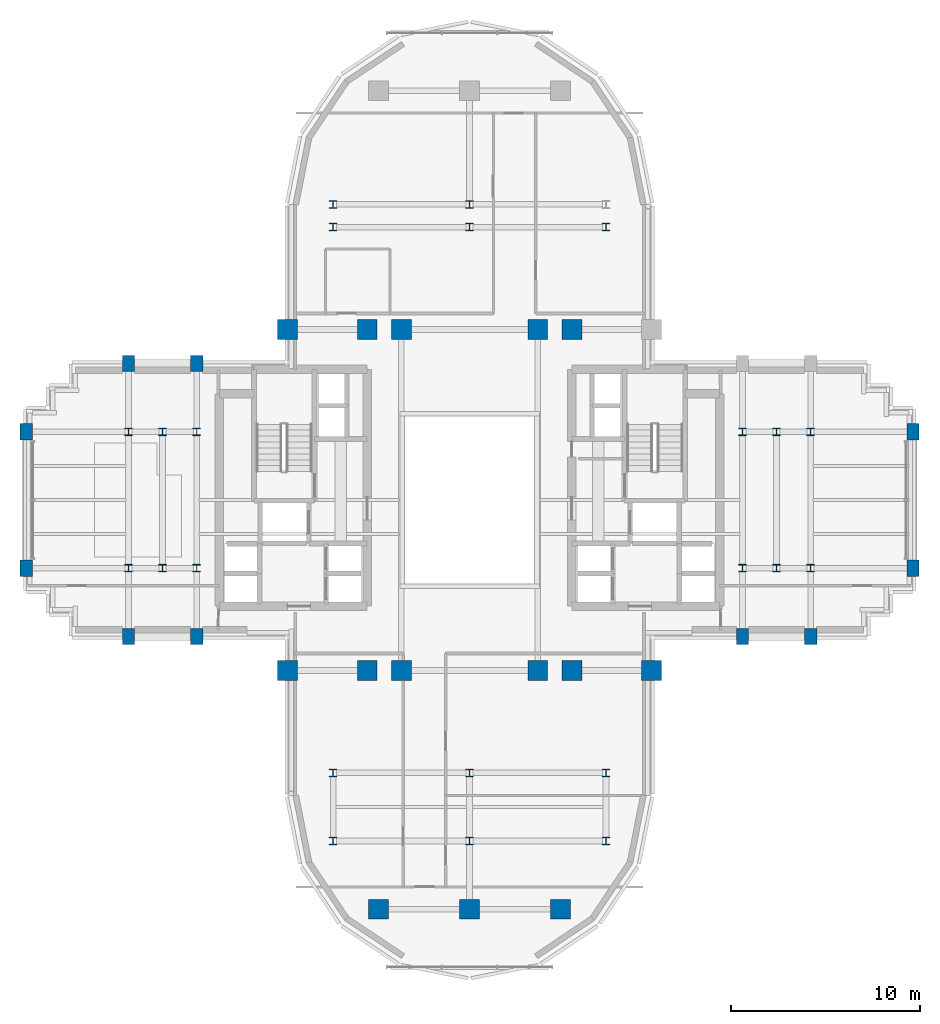
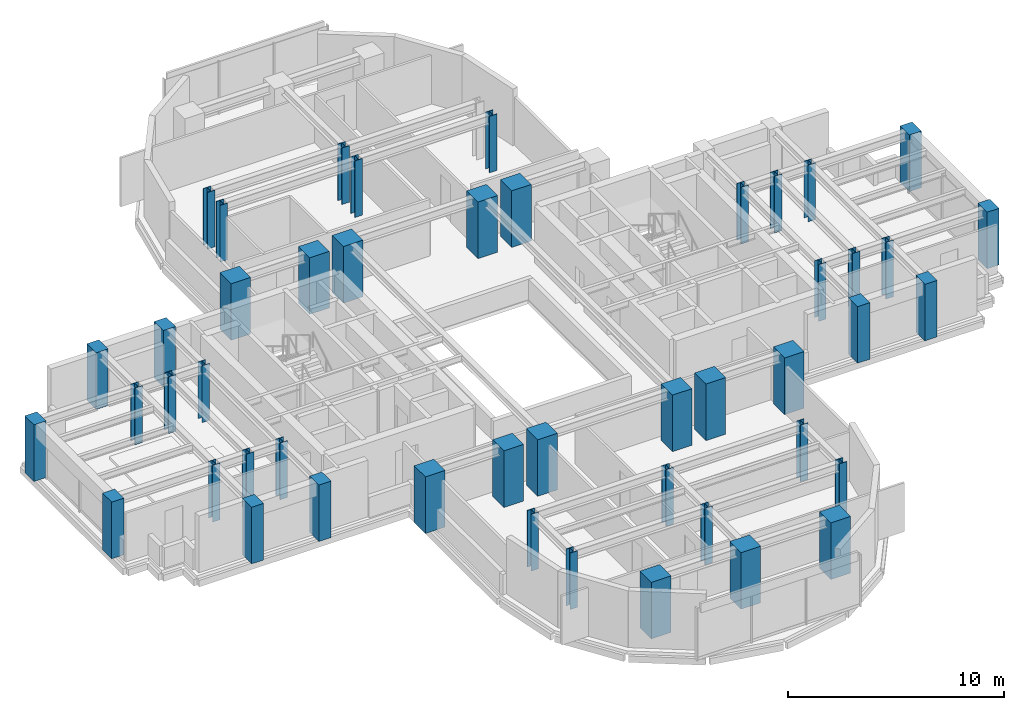
# One storey, part 1 of 13: 47 columns.
"""IFC4 building model written with IfcOpenShell, lengths in metres."""

from ifc_helpers import new_model, si_unit, direction, frame, origin, origin_2d, place, context, subcontext, project, spatial, rectangle, i_section, extrude, source, transform, mapped, material, material_profile, profile_set, type_object, element, save


model = new_model("IFC4")

# Units and contexts
model_context = context("Model", 3, precision=1e-05, world=origin(), true_north=direction((0.0, 1.0)))
body_context = subcontext(model_context, "Body", "Model", "MODEL_VIEW")
ifc_project = project(units=[si_unit("LENGTHUNIT", "METRE"), si_unit("AREAUNIT", "SQUARE_METRE"), si_unit("VOLUMEUNIT", "CUBIC_METRE"), si_unit("PLANEANGLEUNIT", "RADIAN"), si_unit("MASSUNIT", "GRAM", prefix="KILO")], contexts=[model_context])

# Site, building, storey
site_placement = place(None, origin())
site = spatial("IfcSite", under=ifc_project, at=site_placement, CompositionType="ELEMENT")
building_placement = place(site_placement, origin())
building = spatial("IfcBuilding", under=site, at=building_placement, Name="Keilestroom Media Tower", CompositionType="ELEMENT")
storey_placement = place(building_placement, frame((0.0, 0.0, 97.199951171875)))
storey = spatial("IfcBuildingStorey", under=building, at=storey_placement, Name="L25", CompositionType="ELEMENT", Elevation=97.199951171875)

# Columns
ifc_material_1 = material(Name="Precast concrete C40/50", Category="concrete")
ifc_material_profile_1 = material_profile(ifc_material_1, rectangle(XDim=0.64990234375, YDim=0.85009765625, at=origin_2d()), Name="PC 850x650")
ifc_profile_set_1 = profile_set([ifc_material_profile_1], Name="Precast concrete C40/50")
column_type_1 = type_object("IfcColumnType", Name="Structural-Column-PC-850x650", PredefinedType="COLUMN", material=ifc_profile_set_1)
shared_shape_1 = source(origin(), body_context, "Body", "SweptSolid", [
    extrude(rectangle(XDim=0.64990234375, YDim=0.85009765625, at=origin_2d()), origin(), (0.0, 0.0, 1.0), 3.199951171875),
])
for number, where, z_axis, x_axis, name in (
    (1, (-23.39990234375, -3.60009765625, 0.0), (0.0, 0.0, 1.0), (1.0, 0.0, 0.0), "L25 Column PC-2 (-23.4,-3.6)"),
    (2, (-23.39990234375, 3.60009765625, 0.0), (0.0, 0.0, 1.0), (1.0, 0.0, 0.0), "L25 Column PC-2 (-23.4,+3.6)"),
    (3, (-18.0, -7.199951171875, 0.0), (0.0, 0.0, 1.0), (1.0, 0.0, 0.0), "L25 Column PC-2 (-18.0,-7.2)"),
    (4, (-18.0, 7.199951171875, 0.0), (0.0, 0.0, 1.0), (1.0, 0.0, 0.0), "L25 Column PC-2 (-18.0,+7.2)"),
    (5, (-14.39990234375, -7.199951171875, 0.0), (0.0, 0.0, 1.0), (1.0, 0.0, 0.0), "L25 Column PC-2 (-14.4,-7.2)"),
    (6, (-14.39990234375, 7.199951171875, 0.0), (0.0, 0.0, 1.0), (1.0, 0.0, 0.0), "L25 Column PC-2 (-14.4,+7.2)"),
    (7, (14.39990234375, -7.199951171875, 0.0), (0.0, 0.0, 1.0), (1.0, 0.0, 0.0), "L25 Column PC-2 (+14.4,-7.2)"),
    (8, (18.0, -7.199951171875, 0.0), (0.0, 0.0, 1.0), (1.0, 0.0, 0.0), "L25 Column PC-2 (+18.0,-7.2)"),
    (9, (23.39990234375, -3.60009765625, 0.0), (0.0, 0.0, 1.0), (1.0, 0.0, 0.0), "L25 Column PC-2 (+23.4,-3.6)"),
    (10, (23.39990234375, 3.60009765625, 0.0), (0.0, 0.0, 1.0), (1.0, 0.0, 0.0), "L25 Column PC-2 (+23.4,+3.6)"),
):
    element("IfcColumn", number, at=place(storey_placement, frame(where, z_axis=z_axis, x_axis=x_axis)), inside=storey, type_object=column_type_1, Name=name, PredefinedType="COLUMN", context=body_context, shape_type="MappedRepresentation", body=[
        mapped(shared_shape_1, transform((0.0, 0.0, 0.0), x_axis=(1.0, 0.0, 0.0), y_axis=(0.0, 1.0, 0.0), z_axis=(0.0, 0.0, 1.0), scale=1.0)),
    ])
ifc_material_2 = material(Name="Steel S355", Category="steel")
ifc_material_profile_2 = material_profile(ifc_material_2, i_section(OverallWidth=0.40087890625, OverallDepth=0.39892578125, WebThickness=0.02001953125, FlangeThickness=0.031982421875, at=origin_2d()), Name="HD 400x314")
ifc_profile_set_2 = profile_set([ifc_material_profile_2], Name="Steel S355")
column_type_2 = type_object("IfcColumnType", Name="Structural-Column-HD-400x314", PredefinedType="COLUMN", material=ifc_profile_set_2)
shared_shape_2 = source(origin(), body_context, "Body", "SweptSolid", [
    extrude(i_section(OverallWidth=0.40087890625, OverallDepth=0.39892578125, WebThickness=0.02001953125, FlangeThickness=0.031982421875, at=origin_2d()), origin(), (0.0, 0.0, 1.0), 3.199951171875),
])
for number, where, z_axis, x_axis, name in (
    (11, (-18.0, -3.60009765625, 0.0), (0.0, 0.0, 1.0), (1.0, 0.0, 0.0), "L25 Column SC-3 (-18.0,-3.6)"),
    (12, (-18.0, 3.60009765625, 0.0), (0.0, 0.0, 1.0), (1.0, 0.0, 0.0), "L25 Column SC-3 (-18.0,+3.6)"),
    (13, (-16.199951171875, -3.60009765625, 0.0), (0.0, 0.0, 1.0), (1.0, 0.0, 0.0), "L25 Column SC-3 (-16.2,-3.6)"),
    (14, (-16.199951171875, 3.60009765625, 0.0), (0.0, 0.0, 1.0), (1.0, 0.0, 0.0), "L25 Column SC-3 (-16.2,+3.6)"),
    (15, (-14.39990234375, -3.60009765625, 0.0), (0.0, 0.0, 1.0), (1.0, 0.0, 0.0), "L25 Column SC-3 (-14.4,-3.6)"),
    (16, (-14.39990234375, 3.60009765625, 0.0), (0.0, 0.0, 1.0), (1.0, 0.0, 0.0), "L25 Column SC-3 (-14.4,+3.6)"),
    (17, (-7.199951171875, -18.0, 0.0), (0.0, 0.0, 1.0), (1.0, 0.0, 0.0), "L25 Column SC-3 (-7.2,-18.0)"),
    (18, (-7.199951171875, -14.39990234375, 0.0), (0.0, 0.0, 1.0), (1.0, 0.0, 0.0), "L25 Column SC-3 (-7.2,-14.4)"),
    (19, (-7.199951171875, 14.39990234375, 0.0), (0.0, 0.0, 1.0), (1.0, 0.0, 0.0), "L25 Column SC-3 (-7.2,+14.4)"),
    (20, (-7.199951171875, 15.60009765625, 0.0), (0.0, 0.0, 1.0), (1.0, 0.0, 0.0), "L25 Column SC-3 (-7.2,+15.6)"),
    (21, (0.0, -18.0, 0.0), (0.0, 0.0, 1.0), (1.0, 0.0, 0.0), "L25 Column SC-3 (+0.0,-18.0)"),
    (22, (0.0, -14.39990234375, 0.0), (0.0, 0.0, 1.0), (1.0, 0.0, 0.0), "L25 Column SC-3 (+0.0,-14.4)"),
    (23, (0.0, 14.39990234375, 0.0), (0.0, 0.0, 1.0), (1.0, 0.0, 0.0), "L25 Column SC-3 (+0.0,+14.4)"),
    (24, (0.0, 15.60009765625, 0.0), (0.0, 0.0, 1.0), (1.0, 0.0, 0.0), "L25 Column SC-3 (+0.0,+15.6)"),
    (25, (7.199951171875, -18.0, 0.0), (0.0, 0.0, 1.0), (1.0, 0.0, 0.0), "L25 Column SC-3 (+7.2,-18.0)"),
    (26, (7.199951171875, -14.39990234375, 0.0), (0.0, 0.0, 1.0), (1.0, 0.0, 0.0), "L25 Column SC-3 (+7.2,-14.4)"),
    (27, (7.199951171875, 14.39990234375, 0.0), (0.0, 0.0, 1.0), (1.0, 0.0, 0.0), "L25 Column SC-3 (+7.2,+14.4)"),
    (28, (14.39990234375, -3.60009765625, 0.0), (0.0, 0.0, 1.0), (1.0, 0.0, 0.0), "L25 Column SC-3 (+14.4,-3.6)"),
    (29, (14.39990234375, 3.60009765625, 0.0), (0.0, 0.0, 1.0), (1.0, 0.0, 0.0), "L25 Column SC-3 (+14.4,+3.6)"),
    (30, (16.199951171875, -3.60009765625, 0.0), (0.0, 0.0, 1.0), (1.0, 0.0, 0.0), "L25 Column SC-3 (+16.2,-3.6)"),
    (31, (16.199951171875, 3.60009765625, 0.0), (0.0, 0.0, 1.0), (1.0, 0.0, 0.0), "L25 Column SC-3 (+16.2,+3.6)"),
    (32, (18.0, -3.60009765625, 0.0), (0.0, 0.0, 1.0), (1.0, 0.0, 0.0), "L25 Column SC-3 (+18.0,-3.6)"),
    (33, (18.0, 3.60009765625, 0.0), (0.0, 0.0, 1.0), (1.0, 0.0, 0.0), "L25 Column SC-3 (+18.0,+3.6)"),
):
    element("IfcColumn", number, at=place(storey_placement, frame(where, z_axis=z_axis, x_axis=x_axis)), inside=storey, type_object=column_type_2, Name=name, PredefinedType="COLUMN", context=body_context, shape_type="MappedRepresentation", body=[
        mapped(shared_shape_2, transform((0.0, 0.0, 0.0), x_axis=(1.0, 0.0, 0.0), y_axis=(0.0, 1.0, 0.0), z_axis=(0.0, 0.0, 1.0), scale=1.0)),
    ])
ifc_material_3 = material(Name="Concrete C55/67", Category="concrete")
ifc_material_profile_3 = material_profile(ifc_material_3, rectangle(XDim=1.050048828125, YDim=1.050048828125, at=origin_2d()), Name="RC 1050x1050")
ifc_profile_set_3 = profile_set([ifc_material_profile_3], Name="Concrete C55/67")
column_type_3 = type_object("IfcColumnType", Name="Structural-Column-RC-1050x1050", PredefinedType="COLUMN", material=ifc_profile_set_3)
shared_shape_3 = source(origin(), body_context, "Body", "SweptSolid", [
    extrude(rectangle(XDim=1.050048828125, YDim=1.050048828125, at=origin_2d()), origin(), (0.0, 0.0, 1.0), 3.199951171875),
])
for number, where, z_axis, x_axis, name in (
    (34, (-9.60009765625, -9.0, 0.0), (0.0, 0.0, 1.0), (1.0, 0.0, 0.0), "L25 Column MC-3 (-9.6,-9.0)"),
    (35, (-9.60009765625, 9.0, 0.0), (0.0, 0.0, 1.0), (1.0, 0.0, 0.0), "L25 Column MC-3 (-9.6,+9.0)"),
    (36, (-5.39990234375, -9.0, 0.0), (0.0, 0.0, 1.0), (1.0, 0.0, 0.0), "L25 Column MC-3 (-5.4,-9.0)"),
    (37, (-5.39990234375, 9.0, 0.0), (0.0, 0.0, 1.0), (1.0, 0.0, 0.0), "L25 Column MC-3 (-5.4,+9.0)"),
    (38, (-4.800048828125, -21.60009765625, 0.0), (0.0, 0.0, 1.0), (1.0, 0.0, 0.0), "L25 Column MC-3 (-4.8,-21.6)"),
    (39, (-3.60009765625, -9.0, 0.0), (0.0, 0.0, 1.0), (1.0, 0.0, 0.0), "L25 Column MC-3 (-3.6,-9.0)"),
    (40, (-3.60009765625, 9.0, 0.0), (0.0, 0.0, 1.0), (1.0, 0.0, 0.0), "L25 Column MC-3 (-3.6,+9.0)"),
    (41, (0.0, -21.60009765625, 0.0), (0.0, 0.0, 1.0), (1.0, 0.0, 0.0), "L25 Column MC-3 (+0.0,-21.6)"),
    (42, (3.60009765625, -9.0, 0.0), (0.0, 0.0, 1.0), (1.0, 0.0, 0.0), "L25 Column MC-3 (+3.6,-9.0)"),
    (43, (3.60009765625, 9.0, 0.0), (0.0, 0.0, 1.0), (1.0, 0.0, 0.0), "L25 Column MC-3 (+3.6,+9.0)"),
    (44, (4.800048828125, -21.60009765625, 0.0), (0.0, 0.0, 1.0), (1.0, 0.0, 0.0), "L25 Column MC-3 (+4.8,-21.6)"),
    (45, (5.39990234375, -9.0, 0.0), (0.0, 0.0, 1.0), (1.0, 0.0, 0.0), "L25 Column MC-3 (+5.4,-9.0)"),
    (46, (5.39990234375, 9.0, 0.0), (0.0, 0.0, 1.0), (1.0, 0.0, 0.0), "L25 Column MC-3 (+5.4,+9.0)"),
    (47, (9.60009765625, -9.0, 0.0), (0.0, 0.0, 1.0), (1.0, 0.0, 0.0), "L25 Column MC-3 (+9.6,-9.0)"),
):
    element("IfcColumn", number, at=place(storey_placement, frame(where, z_axis=z_axis, x_axis=x_axis)), inside=storey, type_object=column_type_3, Name=name, PredefinedType="COLUMN", context=body_context, shape_type="MappedRepresentation", body=[
        mapped(shared_shape_3, transform((0.0, 0.0, 0.0), x_axis=(1.0, 0.0, 0.0), y_axis=(0.0, 1.0, 0.0), z_axis=(0.0, 0.0, 1.0), scale=1.0)),
    ])

save(model, "model.ifc")
